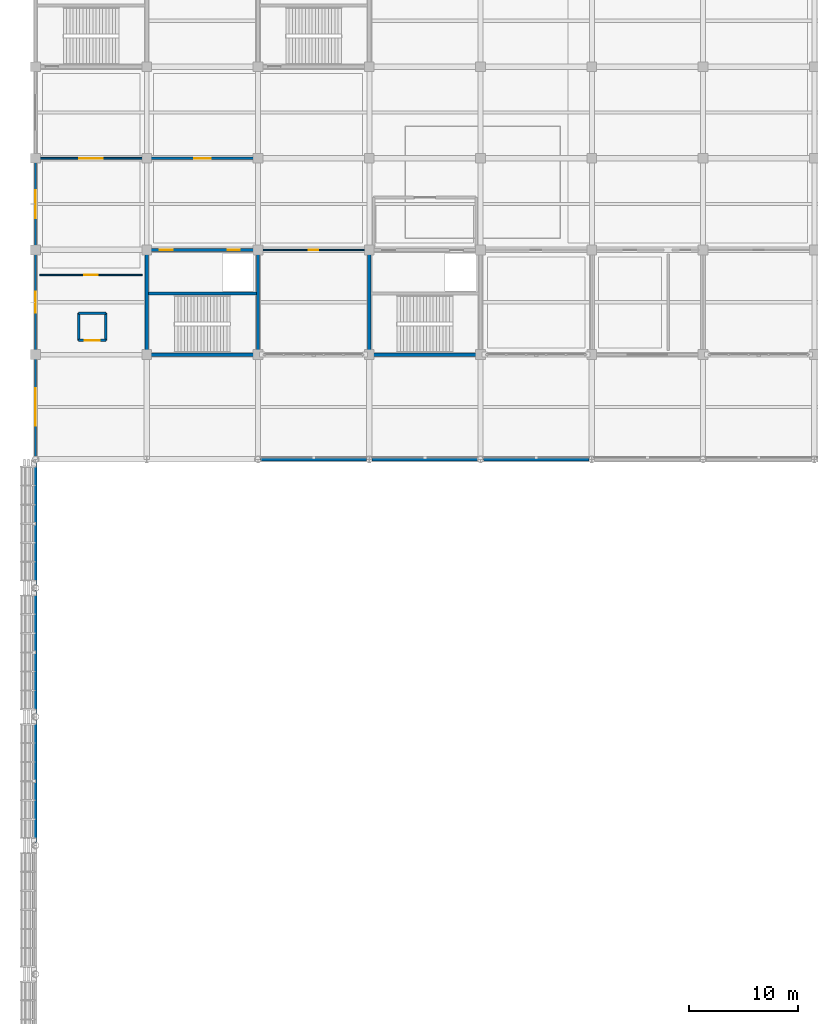
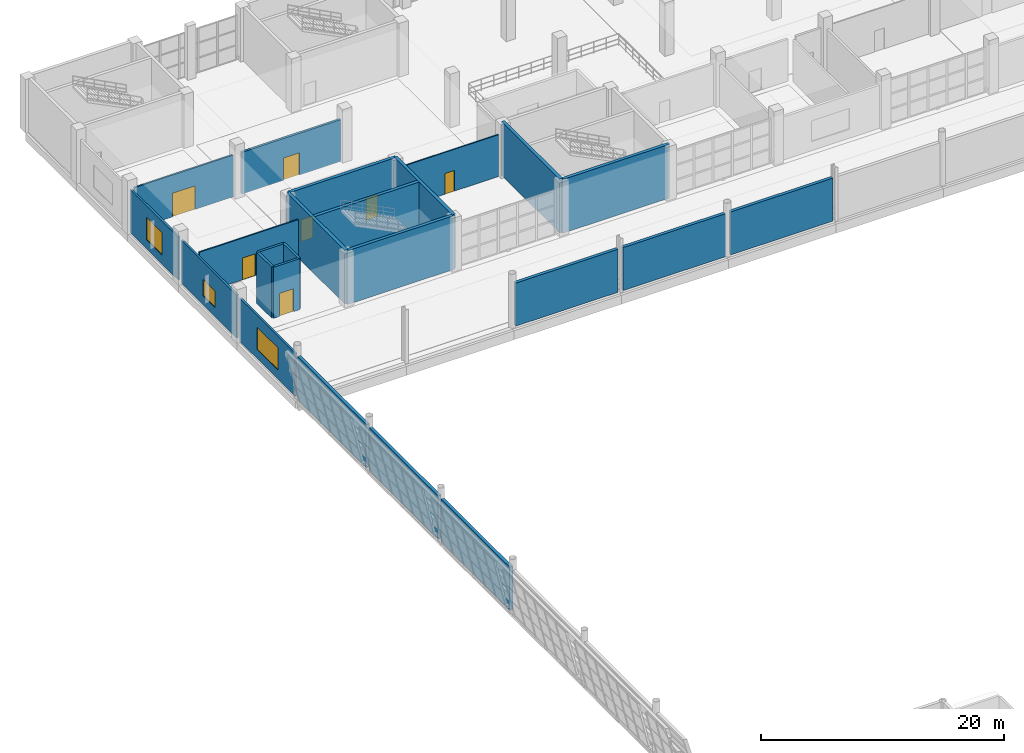
# One storey, part 130 of 175: 24 walls, 7 doors, 3 windows, 10 openings.
"""IFC4 building model written with IfcOpenShell, lengths in metres."""

from ifc_helpers import new_model, si_unit, direction, frame, frame_2d, origin, place, context, subcontext, project, spatial, rectangle, extrude, material, layer, layer_set, type_object, element, fill, save


model = new_model("IFC4")

# Units and contexts
model_context = context("Model", 3, precision=1e-05, world=origin(), true_north=direction((0.0, 1.0)))
body_context = subcontext(model_context, "Body", "Model", "MODEL_VIEW")
ifc_project = project(units=[si_unit("LENGTHUNIT", "METRE"), si_unit("AREAUNIT", "SQUARE_METRE"), si_unit("VOLUMEUNIT", "CUBIC_METRE"), si_unit("PLANEANGLEUNIT", "RADIAN"), si_unit("MASSUNIT", "GRAM", prefix="KILO")], contexts=[model_context])

# Site, building, storey
site_placement = place(None, origin())
site = spatial("IfcSite", under=ifc_project, at=site_placement, CompositionType="ELEMENT")
building_placement = place(site_placement, origin())
building = spatial("IfcBuilding", under=site, at=building_placement, Name="Brelvane Convention Centre", CompositionType="ELEMENT")
storey_placement = place(building_placement, frame((0.0, 0.0, 5.39990234375)))
storey = spatial("IfcBuildingStorey", under=building, at=storey_placement, Name="L01", CompositionType="ELEMENT", Elevation=5.39990234375)

# Wall, opening, window
ifc_material_1 = material(Name="Insulated Autoclaved Aerated Concrete Block Grade 1", Category="concrete")
ifc_layer_1 = layer(ifc_material_1, 0.18994140625)
ifc_layer_set_1 = layer_set([ifc_layer_1], Name="Insulated Autoclaved Aerated Concrete Block Grade 1")
wall_type_1 = type_object("IfcWallType", Name="Exterior Wall EW-06", PredefinedType="STANDARD", material=ifc_layer_set_1)
wall_1_placement = place(storey_placement, frame((0.0, 99.840087890625, 0.0), z_axis=(0.0, 0.0, 1.0), x_axis=(0.0, 1.0, 0.0)))
wall_1 = element("IfcWall", 1, at=wall_1_placement, inside=storey, type_object=wall_type_1, Name="Exterior Wall L01 V4W-L01-99", PredefinedType="STANDARD", context=body_context, shape_type="SweptSolid", body=[
    extrude(rectangle(XDim=9.119873046875, YDim=0.18994140625, at=frame_2d((4.56005859375, 0.0))), origin(), (0.0, 0.0, 1.0), 4.320068359375),
])
opening_1_placement = place(wall_1_placement, frame((2.8349609375, 0.0, 0.89990234375)))
opening_1 = element("IfcOpeningElement", 2, at=opening_1_placement, cuts=wall_1, Name="Opening WN-13", PredefinedType="OPENING", context=body_context, shape_type="SweptSolid", body=[
    extrude(rectangle(XDim=3.449951171875, YDim=2.25, at=frame_2d((1.72509765625, 1.125))), frame((0.0, 0.10498046875, 0.0), z_axis=(0.0, -1.0, 0.0), x_axis=(1.0, 0.0, 0.0)), (0.0, 0.0, 1.0), 0.2099609375),
])
ifc_material_2 = material(Name="Double Glazed Low-E Laminated Unit")
window_type_1 = type_object("IfcWindowType", Name="Window WN-13", PartitioningType="TRIPLE_PANEL_VERTICAL", PredefinedType="WINDOW", material=ifc_material_2)
window_1_placement = place(opening_1_placement, origin())
window_1 = element("IfcWindow", 3, at=window_1_placement, inside=storey, type_object=window_type_1, Name="Facade Window L01-V4W-L01-99-068", OverallHeight=2.25, OverallWidth=3.449951171875, PartitioningType="TRIPLE_PANEL_VERTICAL", PredefinedType="WINDOW", context=body_context, shape_type="SweptSolid", body=[
    extrude(rectangle(XDim=3.449951171875, YDim=2.25, at=frame_2d((1.72509765625, 1.125))), frame((0.0, 0.030029296875, 0.0), z_axis=(0.0, -1.0, 0.0), x_axis=(1.0, 0.0, 0.0)), (0.0, 0.0, 1.0), 0.06005859375),
])
fill(opening_1, window_1)

wall_2_placement = place(storey_placement, frame((0.0, 109.43994140625, 0.0), z_axis=(0.0, 0.0, 1.0), x_axis=(0.0, 1.0, 0.0)))
wall_2 = element("IfcWall", 4, at=wall_2_placement, inside=storey, type_object=wall_type_1, Name="Exterior Wall L01 V4W-L01-109", PredefinedType="STANDARD", context=body_context, shape_type="SweptSolid", body=[
    extrude(rectangle(XDim=9.1201171875, YDim=0.18994140625, at=frame_2d((4.56005859375, 0.0))), origin(), (0.0, 0.0, 1.0), 4.320068359375),
])
opening_2_placement = place(wall_2_placement, frame((3.5849609375, 0.0, 0.89990234375)))
opening_2 = element("IfcOpeningElement", 5, at=opening_2_placement, cuts=wall_2, Name="Opening WN-14", PredefinedType="OPENING", context=body_context, shape_type="SweptSolid", body=[
    extrude(rectangle(XDim=1.949951171875, YDim=1.64990234375, at=frame_2d((0.97509765625, 0.824951171875))), frame((0.0, 0.10498046875, 0.0), z_axis=(0.0, -1.0, 0.0), x_axis=(1.0, 0.0, 0.0)), (0.0, 0.0, 1.0), 0.2099609375),
])
ifc_material_3 = material(Name="Double Glazed Low-E Laminated Unit")
window_type_2 = type_object("IfcWindowType", Name="Window WN-14", PartitioningType="DOUBLE_PANEL_VERTICAL", PredefinedType="WINDOW", material=ifc_material_3)
window_2_placement = place(opening_2_placement, origin())
window_2 = element("IfcWindow", 6, at=window_2_placement, inside=storey, type_object=window_type_2, Name="Facade Window L01-V4W-L01-109-069", OverallHeight=1.64990234375, OverallWidth=1.949951171875, PartitioningType="DOUBLE_PANEL_VERTICAL", PredefinedType="WINDOW", context=body_context, shape_type="SweptSolid", body=[
    extrude(rectangle(XDim=1.949951171875, YDim=1.64990234375, at=frame_2d((0.97509765625, 0.824951171875))), frame((0.0, 0.030029296875, 0.0), z_axis=(0.0, -1.0, 0.0), x_axis=(1.0, 0.0, 0.0)), (0.0, 0.0, 1.0), 0.06005859375),
])
fill(opening_2, window_2)

wall_3_placement = place(storey_placement, frame((0.0, 119.0400390625, 0.0), z_axis=(0.0, 0.0, 1.0), x_axis=(0.0, 1.0, 0.0)))
wall_3 = element("IfcWall", 7, at=wall_3_placement, inside=storey, type_object=wall_type_1, Name="Exterior Wall L01 V4W-L01-118", PredefinedType="STANDARD", context=body_context, shape_type="SweptSolid", body=[
    extrude(rectangle(XDim=7.919921875, YDim=0.18994140625, at=frame_2d((3.9599609375, 0.0))), origin(), (0.0, 0.0, 1.0), 4.320068359375),
])
opening_3_placement = place(wall_3_placement, frame((2.68505859375, 0.0, 0.89990234375)))
opening_3 = element("IfcOpeningElement", 8, at=opening_3_placement, cuts=wall_3, Name="Opening WN-15", PredefinedType="OPENING", context=body_context, shape_type="SweptSolid", body=[
    extrude(rectangle(XDim=2.550048828125, YDim=2.25, at=frame_2d((1.27490234375, 1.125))), frame((0.0, 0.10498046875, 0.0), z_axis=(0.0, -1.0, 0.0), x_axis=(1.0, 0.0, 0.0)), (0.0, 0.0, 1.0), 0.2099609375),
])
ifc_material_4 = material(Name="Double Glazed Low-E Laminated Unit")
window_type_3 = type_object("IfcWindowType", Name="Window WN-15", PartitioningType="DOUBLE_PANEL_VERTICAL", PredefinedType="WINDOW", material=ifc_material_4)
window_3_placement = place(opening_3_placement, origin())
window_3 = element("IfcWindow", 9, at=window_3_placement, inside=storey, type_object=window_type_3, Name="Facade Window L01-V4W-L01-118-070", OverallHeight=2.25, OverallWidth=2.550048828125, PartitioningType="DOUBLE_PANEL_VERTICAL", PredefinedType="WINDOW", context=body_context, shape_type="SweptSolid", body=[
    extrude(rectangle(XDim=2.550048828125, YDim=2.25, at=frame_2d((1.27490234375, 1.125))), frame((0.0, 0.030029296875, 0.0), z_axis=(0.0, -1.0, 0.0), x_axis=(1.0, 0.0, 0.0)), (0.0, 0.0, 1.0), 0.06005859375),
])
fill(opening_3, window_3)

# Walls
ifc_material_5 = material(Name="Concrete M40", Category="concrete")
ifc_layer_2 = layer(ifc_material_5, 0.2900390625)
ifc_layer_set_2 = layer_set([ifc_layer_2], Name="Concrete M40")
wall_type_2 = type_object("IfcWallType", Name="Exterior Wall EW-08", PredefinedType="SOLIDWALL", material=ifc_layer_set_2)
for number, where, z_axis, x_axis, name in (
    (10, (0.0, 64.43994140625, 0.0), (0.0, 0.0, 1.0), (0.0, 1.0, 0.0), "Exterior Wall L01 V1W-L01-4"),
    (11, (0.0, 76.239990234375, 0.0), (0.0, 0.0, 1.0), (0.0, 1.0, 0.0), "Exterior Wall L01 V1W-L01-5"),
    (12, (0.0, 88.0400390625, 0.0), (0.0, 0.0, 1.0), (0.0, 1.0, 0.0), "Exterior Wall L01 V1W-L01-6"),
):
    element("IfcWall", number, at=place(storey_placement, frame(where, z_axis=z_axis, x_axis=x_axis)), inside=storey, type_object=wall_type_2, Name=name, PredefinedType="SOLIDWALL", context=body_context, shape_type="SweptSolid", body=[
        extrude(rectangle(XDim=11.320068359375, YDim=0.2900390625, at=frame_2d((5.66015625, 0.0))), origin(), (0.0, 0.0, 1.0), 4.320068359375),
    ])
wall_4_placement = place(storey_placement, frame((20.639892578125, 99.60009765625, 0.0), z_axis=(0.0, 0.0, 1.0), x_axis=(1.0, 0.0, 0.0)))
element("IfcWall", 13, at=wall_4_placement, inside=storey, type_object=wall_type_2, Name="Exterior Wall L01 V1N-L01-03", PredefinedType="SOLIDWALL", context=body_context, shape_type="SweptSolid", body=[
    extrude(rectangle(XDim=9.72021484375, YDim=0.2900390625, at=frame_2d((4.860107421875, 0.0))), origin(), (0.0, 0.0, 1.0), 4.320068359375),
])
for number, where, z_axis, x_axis, name in (
    (14, (30.840087890625, 99.60009765625, 0.0), (0.0, 0.0, 1.0), (1.0, 0.0, 0.0), "Exterior Wall L01 V1N-L01-04"),
    (15, (41.0400390625, 99.60009765625, 0.0), (0.0, 0.0, 1.0), (1.0, 0.0, 0.0), "Exterior Wall L01 V1N-L01-05"),
):
    element("IfcWall", number, at=place(storey_placement, frame(where, z_axis=z_axis, x_axis=x_axis)), inside=storey, type_object=wall_type_2, Name=name, PredefinedType="SOLIDWALL", context=body_context, shape_type="SweptSolid", body=[
        extrude(rectangle(XDim=9.719970703125, YDim=0.2900390625, at=frame_2d((4.85986328125, 0.0))), origin(), (0.0, 0.0, 1.0), 4.320068359375),
    ])

# Wall, opening, door
ifc_material_6 = material(Name="Concrete M40", Category="concrete")
ifc_layer_3 = layer(ifc_material_6, 0.219970703125)
ifc_layer_set_3 = layer_set([ifc_layer_3], Name="Concrete M40")
wall_type_3 = type_object("IfcWallType", Name="Interior Wall IW-FR-220", PredefinedType="PARTITIONING", material=ifc_layer_set_3)
wall_5_placement = place(storey_placement, frame((3.949951171875, 110.5, 0.0), z_axis=(0.0, 0.0, 1.0), x_axis=(1.0, 0.0, 0.0)))
wall_5 = element("IfcWall", 16, at=wall_5_placement, inside=storey, type_object=wall_type_3, Name="Lift LP-06 Shaft Wall S (L01)", PredefinedType="PARTITIONING", context=body_context, shape_type="SweptSolid", body=[
    extrude(rectangle(XDim=2.5, YDim=0.219970703125, at=frame_2d((1.25, 0.0))), origin(), (0.0, 0.0, 1.0), 5.1201171875),
])
opening_4_placement = place(wall_5_placement, frame((0.574951171875, 0.0, 0.0)))
opening_4 = element("IfcOpeningElement", 17, at=opening_4_placement, cuts=wall_5, Name="Opening LD-03", PredefinedType="OPENING", context=body_context, shape_type="SweptSolid", body=[
    extrude(rectangle(XDim=1.35009765625, YDim=2.300048828125, at=frame_2d((0.675048828125, 1.14990234375))), frame((0.0, 0.119873046875, 0.0), z_axis=(0.0, -1.0, 0.0), x_axis=(1.0, 0.0, 0.0)), (0.0, 0.0, 1.0), 0.239990234375),
])
ifc_material_7 = material(Name="Galvanised Hollow-Metal Fire Door Steel E250", Category="steel")
door_type_1 = type_object("IfcDoorType", Name="Interior Door LD-03", OperationType="NOTDEFINED", PredefinedType="DOOR", material=ifc_material_7)
door_1_placement = place(opening_4_placement, origin())
door_1 = element("IfcDoor", 18, at=door_1_placement, inside=storey, type_object=door_type_1, Name="Lift LP-06 Landing Door (L01)", OperationType="DOUBLE_DOOR_SLIDING", OverallHeight=2.300048828125, OverallWidth=1.35009765625, PredefinedType="DOOR", context=body_context, shape_type="SweptSolid", body=[
    extrude(rectangle(XDim=1.35009765625, YDim=2.300048828125, at=frame_2d((0.675048828125, 1.14990234375))), frame((0.0, 0.02490234375, 0.0), z_axis=(0.0, -1.0, 0.0), x_axis=(1.0, 0.0, 0.0)), (0.0, 0.0, 1.0), 0.050048828125),
])
fill(opening_4, door_1)

# Walls
for number, where, z_axis, x_axis, name in (
    (19, (3.949951171875, 113.0, 0.0), (0.0, 0.0, 1.0), (1.0, 0.0, 0.0), "Lift LP-06 Shaft Wall N (L01)"),
    (20, (3.949951171875, 110.5, 0.0), (0.0, 0.0, 1.0), (0.0, 1.0, 0.0), "Lift LP-06 Shaft Wall W (L01)"),
    (21, (6.449951171875, 110.5, 0.0), (0.0, 0.0, 1.0), (0.0, 1.0, 0.0), "Lift LP-06 Shaft Wall E (L01)"),
):
    element("IfcWall", number, at=place(storey_placement, frame(where, z_axis=z_axis, x_axis=x_axis)), inside=storey, type_object=wall_type_3, Name=name, PredefinedType="PARTITIONING", context=body_context, shape_type="SweptSolid", body=[
        extrude(rectangle(XDim=2.5, YDim=0.219970703125, at=frame_2d((1.25, 0.0))), origin(), (0.0, 0.0, 1.0), 5.1201171875),
    ])

# Wall, opening, door
ifc_material_8 = material(Name="Acoustic Operable Gypsum Composite Panel Board Class A")
ifc_layer_4 = layer(ifc_material_8, 0.14990234375)
ifc_layer_set_4 = layer_set([ifc_layer_4], Name="Acoustic Operable Gypsum Composite Panel Board Class A")
wall_type_4 = type_object("IfcWallType", Name="Interior Wall IW-OP-150", PredefinedType="MOVABLE", material=ifc_layer_set_4)
wall_6_placement = place(storey_placement, frame((0.39990234375, 127.199951171875, 0.0), z_axis=(0.0, 0.0, 1.0), x_axis=(1.0, 0.0, 0.0)))
wall_6 = element("IfcWall", 22, at=wall_6_placement, inside=storey, type_object=wall_type_4, Name="Operable Wall L01-MEET-OP5", PredefinedType="MOVABLE", context=body_context, shape_type="SweptSolid", body=[
    extrude(rectangle(XDim=9.400146484375, YDim=0.14990234375, at=frame_2d((4.7001953125, 0.0))), origin(), (0.0, 0.0, 1.0), 4.2001953125),
])
opening_5_placement = place(wall_6_placement, frame((3.625, 0.0, 0.0)))
opening_5 = element("IfcOpeningElement", 23, at=opening_5_placement, cuts=wall_6, Name="Opening DR-IN-22", PredefinedType="OPENING", context=body_context, shape_type="SweptSolid", body=[
    extrude(rectangle(XDim=2.14990234375, YDim=2.3798828125, at=frame_2d((1.074951171875, 1.18994140625))), frame((0.0, 0.0849609375, 0.0), z_axis=(0.0, -1.0, 0.0), x_axis=(1.0, 0.0, 0.0)), (0.0, 0.0, 1.0), 0.169921875),
])
ifc_material_9 = material(Name="Galvanised Hollow-Metal Fire Door Steel E250", Category="steel")
door_type_2 = type_object("IfcDoorType", Name="Interior Door DR-IN-22", OperationType="NOTDEFINED", PredefinedType="DOOR", material=ifc_material_9)
door_2_placement = place(opening_5_placement, origin())
door_2 = element("IfcDoor", 24, at=door_2_placement, inside=storey, type_object=door_type_2, Name="Interior Door L01-MEET-OP5 (DR-IN-22)", OperationType="DOUBLE_DOOR_SINGLE_SWING", OverallHeight=2.3798828125, OverallWidth=2.14990234375, PredefinedType="DOOR", context=body_context, shape_type="SweptSolid", body=[
    extrude(rectangle(XDim=2.14990234375, YDim=2.3798828125, at=frame_2d((1.074951171875, 1.18994140625))), frame((0.0, 0.02490234375, 0.0), z_axis=(0.0, -1.0, 0.0), x_axis=(1.0, 0.0, 0.0)), (0.0, 0.0, 1.0), 0.050048828125),
])
fill(opening_5, door_2)

ifc_material_10 = material(Name="Acoustic Operable Gypsum Composite Panel Board Class A")
ifc_layer_5 = layer(ifc_material_10, 0.2099609375)
ifc_layer_set_5 = layer_set([ifc_layer_5], Name="Acoustic Operable Gypsum Composite Panel Board Class A")
wall_type_5 = type_object("IfcWallType", Name="Interior Wall IW-OP-210", PredefinedType="MOVABLE", material=ifc_layer_set_5)
wall_7_placement = place(storey_placement, frame((10.60009765625, 127.199951171875, 0.0), z_axis=(0.0, 0.0, 1.0), x_axis=(1.0, 0.0, 0.0)))
wall_7 = element("IfcWall", 25, at=wall_7_placement, inside=storey, type_object=wall_type_5, Name="Operable Wall L01-MEET-OP6", PredefinedType="MOVABLE", context=body_context, shape_type="SweptSolid", body=[
    extrude(rectangle(XDim=9.39990234375, YDim=0.2099609375, at=frame_2d((4.699951171875, 0.0))), origin(), (0.0, 0.0, 1.0), 4.2001953125),
])
opening_6_placement = place(wall_7_placement, frame((3.949951171875, 0.0, 0.0)))
opening_6 = element("IfcOpeningElement", 26, at=opening_6_placement, cuts=wall_7, Name="Opening DR-IN-05", PredefinedType="OPENING", context=body_context, shape_type="SweptSolid", body=[
    extrude(rectangle(XDim=1.5, YDim=2.25, at=frame_2d((0.75, 1.125))), frame((0.0, 0.114990234375, 0.0), z_axis=(0.0, -1.0, 0.0), x_axis=(1.0, 0.0, 0.0)), (0.0, 0.0, 1.0), 0.22998046875),
])
ifc_material_11 = material(Name="Solid-Core Fire-Rated Hardwood Leaf Grade 1", Category="wood")
door_type_3 = type_object("IfcDoorType", Name="Interior Door DR-IN-05", OperationType="NOTDEFINED", PredefinedType="DOOR", material=ifc_material_11)
door_3_placement = place(opening_6_placement, origin())
door_3 = element("IfcDoor", 27, at=door_3_placement, inside=storey, type_object=door_type_3, Name="Interior Door L01-MEET-OP6 (DR-IN-05)", OperationType="DOUBLE_DOOR_SINGLE_SWING", OverallHeight=2.25, OverallWidth=1.5, PredefinedType="DOOR", context=body_context, shape_type="SweptSolid", body=[
    extrude(rectangle(XDim=1.5, YDim=2.25, at=frame_2d((0.75, 1.125))), frame((0.0, 0.02490234375, 0.0), z_axis=(0.0, -1.0, 0.0), x_axis=(1.0, 0.0, 0.0)), (0.0, 0.0, 1.0), 0.050048828125),
])
fill(opening_6, door_3)

ifc_material_12 = material(Name="Fire-Rated Acoustic Gypsum Partition Board Grade A")
ifc_layer_6 = layer(ifc_material_12, 0.114990234375)
ifc_layer_set_6 = layer_set([ifc_layer_6], Name="Fire-Rated Acoustic Gypsum Partition Board Grade A")
wall_type_6 = type_object("IfcWallType", Name="Interior Wall IW-PT-115", PredefinedType="PARTITIONING", material=ifc_layer_set_6)
wall_8_placement = place(storey_placement, frame((20.800048828125, 118.800048828125, 0.0), z_axis=(0.0, 0.0, 1.0), x_axis=(1.0, 0.0, 0.0)))
wall_8 = element("IfcWall", 28, at=wall_8_placement, inside=storey, type_object=wall_type_6, Name="Interior Partition L01-MT202", PredefinedType="PARTITIONING", context=body_context, shape_type="SweptSolid", body=[
    extrude(rectangle(XDim=9.39990234375, YDim=0.114990234375, at=frame_2d((4.699951171875, 0.0))), origin(), (0.0, 0.0, 1.0), 4.2001953125),
])
opening_7_placement = place(wall_8_placement, frame((4.260009765625, 0.0, 0.0)))
opening_7 = element("IfcOpeningElement", 29, at=opening_7_placement, cuts=wall_8, Name="Opening DR-IN-11L", PredefinedType="OPENING", context=body_context, shape_type="SweptSolid", body=[
    extrude(rectangle(XDim=0.8798828125, YDim=2.080078125, at=frame_2d((0.43994140625, 1.0400390625))), frame((0.0, 0.0673828125, 0.0), z_axis=(0.0, -1.0, 0.0), x_axis=(1.0, 0.0, 0.0)), (0.0, 0.0, 1.0), 0.135009765625),
])
ifc_material_13 = material(Name="Solid-Core Fire-Rated Hardwood Leaf Grade 1", Category="wood")
door_type_4 = type_object("IfcDoorType", Name="Interior Door DR-IN-11L", OperationType="NOTDEFINED", PredefinedType="DOOR", material=ifc_material_13)
door_4_placement = place(opening_7_placement, origin())
door_4 = element("IfcDoor", 30, at=door_4_placement, inside=storey, type_object=door_type_4, Name="Interior Door L01-MT202 (DR-IN-11L)", OperationType="SINGLE_SWING_LEFT", OverallHeight=2.080078125, OverallWidth=0.8798828125, PredefinedType="DOOR", context=body_context, shape_type="SweptSolid", body=[
    extrude(rectangle(XDim=0.8798828125, YDim=2.080078125, at=frame_2d((0.43994140625, 1.0400390625))), frame((0.0, 0.02490234375, 0.0), z_axis=(0.0, -1.0, 0.0), x_axis=(1.0, 0.0, 0.0)), (0.0, 0.0, 1.0), 0.050048828125),
])
fill(opening_7, door_4)

ifc_material_14 = material(Name="Fire-Rated Acoustic Gypsum Partition Board Grade A")
ifc_layer_7 = layer(ifc_material_14, 0.125)
ifc_layer_set_7 = layer_set([ifc_layer_7], Name="Fire-Rated Acoustic Gypsum Partition Board Grade A")
wall_type_7 = type_object("IfcWallType", Name="Interior Wall IW-PT-125", PredefinedType="PARTITIONING", material=ifc_layer_set_7)
wall_9_placement = place(storey_placement, frame((0.39990234375, 116.5, 0.0), z_axis=(0.0, 0.0, 1.0), x_axis=(1.0, 0.0, 0.0)))
wall_9 = element("IfcWall", 31, at=wall_9_placement, inside=storey, type_object=wall_type_7, Name="Interior Partition L01-MT201", PredefinedType="PARTITIONING", context=body_context, shape_type="SweptSolid", body=[
    extrude(rectangle(XDim=9.400146484375, YDim=0.125, at=frame_2d((4.7001953125, 0.0))), origin(), (0.0, 0.0, 1.0), 4.2001953125),
])
opening_8_placement = place(wall_9_placement, frame((4.080078125, 0.0, 0.0)))
opening_8 = element("IfcOpeningElement", 32, at=opening_8_placement, cuts=wall_9, Name="Opening DR-IN-04R", PredefinedType="OPENING", context=body_context, shape_type="SweptSolid", body=[
    extrude(rectangle(XDim=1.239990234375, YDim=2.199951171875, at=frame_2d((0.6201171875, 1.10009765625))), frame((0.0, 0.072509765625, 0.0), z_axis=(0.0, -1.0, 0.0), x_axis=(1.0, 0.0, 0.0)), (0.0, 0.0, 1.0), 0.14501953125),
])
ifc_material_15 = material(Name="Galvanised Hollow-Metal Fire Door Steel E250", Category="steel")
door_type_5 = type_object("IfcDoorType", Name="Interior Door DR-IN-04R", OperationType="NOTDEFINED", PredefinedType="DOOR", material=ifc_material_15)
door_5_placement = place(opening_8_placement, origin())
door_5 = element("IfcDoor", 33, at=door_5_placement, inside=storey, type_object=door_type_5, Name="Interior Door L01-MT201 (DR-IN-04R)", OperationType="SINGLE_SWING_RIGHT", OverallHeight=2.199951171875, OverallWidth=1.239990234375, PredefinedType="DOOR", context=body_context, shape_type="SweptSolid", body=[
    extrude(rectangle(XDim=1.239990234375, YDim=2.199951171875, at=frame_2d((0.6201171875, 1.10009765625))), frame((0.0, 0.02490234375, 0.0), z_axis=(0.0, -1.0, 0.0), x_axis=(1.0, 0.0, 0.0)), (0.0, 0.0, 1.0), 0.050048828125),
])
fill(opening_8, door_5)

# Wall
ifc_material_16 = material(Name="Concrete M50", Category="concrete")
ifc_layer_8 = layer(ifc_material_16, 0.300048828125)
ifc_layer_set_8 = layer_set([ifc_layer_8], Name="Concrete M50")
wall_type_8 = type_object("IfcWallType", Name="Structural Wall WL-CORE-300", PredefinedType="SHEAR", material=ifc_layer_set_8)
wall_10_placement = place(storey_placement, frame((10.199951171875, 109.199951171875, 0.0), z_axis=(0.0, 0.0, 1.0), x_axis=(1.0, 0.0, 0.0)))
element("IfcWall", 34, at=wall_10_placement, inside=storey, type_object=wall_type_8, Name="Core C6 Shear Wall S (L01)", PredefinedType="SHEAR", context=body_context, shape_type="SweptSolid", body=[
    extrude(rectangle(XDim=10.199951171875, YDim=0.300048828125, at=frame_2d((5.10009765625, 0.0))), origin(), (0.0, 0.0, 1.0), 5.400146484375),
])

# Wall, openings, doors
wall_11_placement = place(storey_placement, frame((10.199951171875, 118.800048828125, 0.0), z_axis=(0.0, 0.0, 1.0), x_axis=(1.0, 0.0, 0.0)))
wall_11 = element("IfcWall", 35, at=wall_11_placement, inside=storey, type_object=wall_type_8, Name="Core C6 Shear Wall N (L01)", PredefinedType="SHEAR", context=body_context, shape_type="SweptSolid", body=[
    extrude(rectangle(XDim=10.199951171875, YDim=0.300048828125, at=frame_2d((5.10009765625, 0.0))), origin(), (0.0, 0.0, 1.0), 5.400146484375),
])
opening_9_placement = place(wall_11_placement, frame((1.199951171875, 0.0, 0.0)))
opening_9 = element("IfcOpeningElement", 36, at=opening_9_placement, cuts=wall_11, Name="Opening DR-IN-04L", PredefinedType="OPENING", context=body_context, shape_type="SweptSolid", body=[
    extrude(rectangle(XDim=1.159912109375, YDim=2.199951171875, at=frame_2d((0.580078125, 1.10009765625))), frame((0.0, 0.159912109375, 0.0), z_axis=(0.0, -1.0, 0.0), x_axis=(1.0, 0.0, 0.0)), (0.0, 0.0, 1.0), 0.320068359375),
])
opening_10_placement = place(wall_11_placement, frame((7.39990234375, 0.0, 0.0)))
opening_10 = element("IfcOpeningElement", 37, at=opening_10_placement, cuts=wall_11, Name="Opening LD-02", PredefinedType="OPENING", context=body_context, shape_type="SweptSolid", body=[
    extrude(rectangle(XDim=1.10009765625, YDim=2.199951171875, at=frame_2d((0.550048828125, 1.10009765625))), frame((0.0, 0.159912109375, 0.0), z_axis=(0.0, -1.0, 0.0), x_axis=(1.0, 0.0, 0.0)), (0.0, 0.0, 1.0), 0.320068359375),
])
ifc_material_17 = material(Name="Galvanised Hollow-Metal Fire Door Steel E250", Category="steel")
door_type_6 = type_object("IfcDoorType", Name="Interior Door DR-IN-04L", OperationType="NOTDEFINED", PredefinedType="DOOR", material=ifc_material_17)
door_6_placement = place(opening_9_placement, origin())
door_6 = element("IfcDoor", 38, at=door_6_placement, inside=storey, type_object=door_type_6, Name="Stair ST-06 Door (L01)", OperationType="SINGLE_SWING_LEFT", OverallHeight=2.199951171875, OverallWidth=1.159912109375, PredefinedType="DOOR", context=body_context, shape_type="SweptSolid", body=[
    extrude(rectangle(XDim=1.159912109375, YDim=2.199951171875, at=frame_2d((0.580078125, 1.10009765625))), frame((0.0, 0.02490234375, 0.0), z_axis=(0.0, -1.0, 0.0), x_axis=(1.0, 0.0, 0.0)), (0.0, 0.0, 1.0), 0.050048828125),
])
fill(opening_9, door_6)
ifc_material_18 = material(Name="Galvanised Hollow-Metal Fire Door Steel E250", Category="steel")
door_type_7 = type_object("IfcDoorType", Name="Interior Door LD-02", OperationType="NOTDEFINED", PredefinedType="DOOR", material=ifc_material_18)
door_7_placement = place(opening_10_placement, origin())
door_7 = element("IfcDoor", 39, at=door_7_placement, inside=storey, type_object=door_type_7, Name="Lift LP-03 Landing Door (L01)", OperationType="SLIDING_TO_RIGHT", OverallHeight=2.199951171875, OverallWidth=1.10009765625, PredefinedType="DOOR", context=body_context, shape_type="SweptSolid", body=[
    extrude(rectangle(XDim=1.10009765625, YDim=2.199951171875, at=frame_2d((0.550048828125, 1.10009765625))), frame((0.0, 0.02490234375, 0.0), z_axis=(0.0, -1.0, 0.0), x_axis=(1.0, 0.0, 0.0)), (0.0, 0.0, 1.0), 0.050048828125),
])
fill(opening_10, door_7)

# Walls
for number, where, z_axis, x_axis, name in (
    (40, (10.199951171875, 109.199951171875, 0.0), (0.0, 0.0, 1.0), (0.0, 1.0, 0.0), "Core C6 Shear Wall W (L01)"),
    (41, (20.39990234375, 109.199951171875, 0.0), (0.0, 0.0, 1.0), (0.0, 1.0, 0.0), "Core C6 Shear Wall E (L01)"),
):
    element("IfcWall", number, at=place(storey_placement, frame(where, z_axis=z_axis, x_axis=x_axis)), inside=storey, type_object=wall_type_8, Name=name, PredefinedType="SHEAR", context=body_context, shape_type="SweptSolid", body=[
        extrude(rectangle(XDim=9.60009765625, YDim=0.300048828125, at=frame_2d((4.800048828125, 0.0))), origin(), (0.0, 0.0, 1.0), 5.400146484375),
    ])
wall_12_placement = place(storey_placement, frame((30.60009765625, 109.199951171875, 0.0), z_axis=(0.0, 0.0, 1.0), x_axis=(1.0, 0.0, 0.0)))
element("IfcWall", 42, at=wall_12_placement, inside=storey, type_object=wall_type_8, Name="Core C7 Shear Wall S (L01)", PredefinedType="SHEAR", context=body_context, shape_type="SweptSolid", body=[
    extrude(rectangle(XDim=10.199951171875, YDim=0.300048828125, at=frame_2d((5.10009765625, 0.0))), origin(), (0.0, 0.0, 1.0), 5.400146484375),
])
wall_13_placement = place(storey_placement, frame((30.60009765625, 109.199951171875, 0.0), z_axis=(0.0, 0.0, 1.0), x_axis=(0.0, 1.0, 0.0)))
element("IfcWall", 43, at=wall_13_placement, inside=storey, type_object=wall_type_8, Name="Core C7 Shear Wall W (L01)", PredefinedType="SHEAR", context=body_context, shape_type="SweptSolid", body=[
    extrude(rectangle(XDim=9.60009765625, YDim=0.300048828125, at=frame_2d((4.800048828125, 0.0))), origin(), (0.0, 0.0, 1.0), 5.400146484375),
])
wall_14_placement = place(storey_placement, frame((10.35009765625, 114.800048828125, 0.0), z_axis=(0.0, 0.0, 1.0), x_axis=(1.0, 0.0, 0.0)))
element("IfcWall", 44, at=wall_14_placement, inside=storey, type_object=wall_type_8, Name="Core C6 Shaft Divider Wall (L01)", PredefinedType="SHEAR", context=body_context, shape_type="SweptSolid", body=[
    extrude(rectangle(XDim=9.89990234375, YDim=0.300048828125, at=frame_2d((4.949951171875, 0.0))), origin(), (0.0, 0.0, 1.0), 5.400146484375),
])

save(model, "model.ifc")
